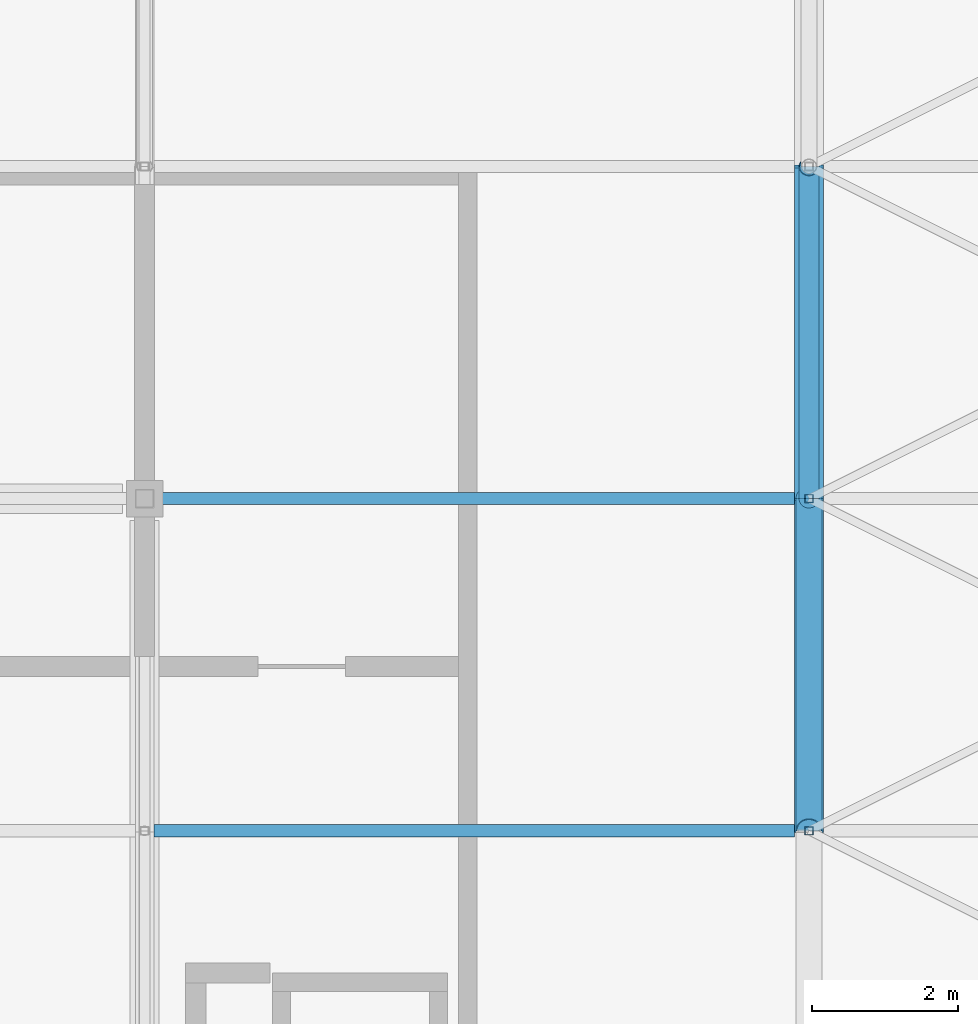
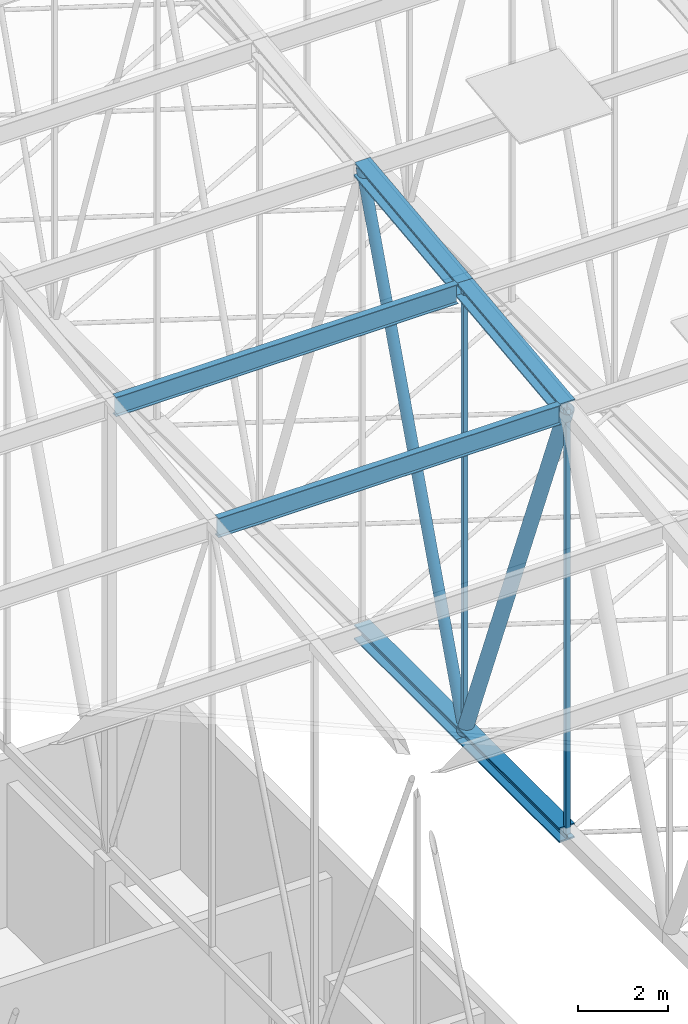
# One storey, part 81 of 500: 10 members.
"""IFC4 building model written with IfcOpenShell, lengths in metres."""

from ifc_helpers import new_model, si_unit, direction, frame, origin, origin_2d, place, context, subcontext, project, spatial, hollow_rectangle, hollow_circle, i_section, extrude, material, material_profile, profile_set, type_object, element, save


model = new_model("IFC4")

# Units and contexts
model_context = context("Model", 3, precision=1e-05, world=origin(), true_north=direction((0.0, 1.0)))
body_context = subcontext(model_context, "Body", "Model", "MODEL_VIEW")
ifc_project = project(units=[si_unit("LENGTHUNIT", "METRE"), si_unit("AREAUNIT", "SQUARE_METRE"), si_unit("VOLUMEUNIT", "CUBIC_METRE"), si_unit("PLANEANGLEUNIT", "RADIAN"), si_unit("MASSUNIT", "GRAM", prefix="KILO")], contexts=[model_context])

# Site, building, storey
site_placement = place(None, origin())
site = spatial("IfcSite", under=ifc_project, at=site_placement, CompositionType="ELEMENT")
building_placement = place(site_placement, origin())
building = spatial("IfcBuilding", under=site, at=building_placement, Name="Shirokan Park Arena", CompositionType="ELEMENT")
storey_placement = place(building_placement, frame((0.0, 0.0, 29.1201171875)))
storey = spatial("IfcBuildingStorey", under=building, at=storey_placement, Name="L06", CompositionType="ELEMENT", Elevation=29.1201171875)

# Members
ifc_material_1 = material(Name="Steel ASTM A992", Category="steel")
ifc_material_profile_1 = material_profile(ifc_material_1, i_section(OverallWidth=0.40087890625, OverallDepth=0.39892578125, WebThickness=0.02490234375, FlangeThickness=0.03955078125, at=origin_2d()), Name="W360X314")
ifc_profile_set_1 = profile_set([ifc_material_profile_1], Name="Steel ASTM A992")
member_type_1 = type_object("IfcMemberType", Name="Bottom chord W360X314", PredefinedType="CHORD", material=ifc_profile_set_1)
member_1_placement = place(storey_placement, frame((45.5, 31.85009765625, 4.677001953125), z_axis=(0.0, 1.0, 0.0), x_axis=(-1.0, 0.0, 0.0)))
element("IfcMember", 1, at=member_1_placement, inside=storey, type_object=member_type_1, Name="Truss T06 bottom chord 10", PredefinedType="CHORD", context=body_context, shape_type="SweptSolid", body=[
    extrude(i_section(OverallWidth=0.40087890625, OverallDepth=0.39892578125, WebThickness=0.02490234375, FlangeThickness=0.03955078125, at=origin_2d()), origin(), (0.0, 0.0, 1.0), 4.5498046875),
])
member_2_placement = place(storey_placement, frame((45.5, 36.39990234375, 4.677001953125), z_axis=(0.0, 1.0, 0.0), x_axis=(-1.0, 0.0, 0.0)))
element("IfcMember", 2, at=member_2_placement, inside=storey, type_object=member_type_1, Name="Truss T06 bottom chord 11", PredefinedType="CHORD", context=body_context, shape_type="SweptSolid", body=[
    extrude(i_section(OverallWidth=0.40087890625, OverallDepth=0.39892578125, WebThickness=0.02490234375, FlangeThickness=0.03955078125, at=origin_2d()), origin(), (0.0, 0.0, 1.0), 4.550048828125),
])
ifc_material_profile_2 = material_profile(ifc_material_1, i_section(OverallWidth=0.166015625, OverallDepth=0.528076171875, WebThickness=0.009765625, FlangeThickness=0.013671875, at=origin_2d()), Name="W530X74")
ifc_profile_set_2 = profile_set([ifc_material_profile_2], Name="Steel ASTM A992")
member_type_2 = type_object("IfcMemberType", Name="Purlin W530X74", PredefinedType="PURLIN", material=ifc_profile_set_2)
for number, where, z_axis, x_axis, name in (
    (3, (36.527099609375, 31.85009765625, 16.1259765625), (1.0, 0.0, 0.0), (0.0, 1.0, 0.0), "Purlin 10 bay 5"),
    (4, (36.527099609375, 36.39990234375, 16.64599609375), (1.0, 0.0, 0.0), (0.0, 1.0, 0.0), "Purlin 11 bay 5"),
):
    element("IfcMember", number, at=place(storey_placement, frame(where, z_axis=z_axis, x_axis=x_axis)), inside=storey, type_object=member_type_2, Name=name, PredefinedType="PURLIN", context=body_context, shape_type="SweptSolid", body=[
        extrude(i_section(OverallWidth=0.166015625, OverallDepth=0.528076171875, WebThickness=0.009765625, FlangeThickness=0.013671875, at=origin_2d()), origin(), (0.0, 0.0, 1.0), 8.7724609375),
    ])
ifc_material_profile_3 = material_profile(ifc_material_1, i_section(OverallWidth=0.40087890625, OverallDepth=0.39892578125, WebThickness=0.02490234375, FlangeThickness=0.03955078125, at=origin_2d()), Name="W360X314")
ifc_profile_set_3 = profile_set([ifc_material_profile_3], Name="Steel ASTM A992")
member_type_3 = type_object("IfcMemberType", Name="Top chord W360X314", PredefinedType="CHORD", material=ifc_profile_set_3)
member_3_placement = place(storey_placement, frame((45.5, 31.85009765625, 16.181396484375), z_axis=(0.0, 0.993531641592, 0.11355561261), x_axis=(-1.0, 0.0, 0.0)))
element("IfcMember", 5, at=member_3_placement, inside=storey, type_object=member_type_3, Name="Truss T06 top chord 10", PredefinedType="CHORD", context=body_context, shape_type="SweptSolid", body=[
    extrude(i_section(OverallWidth=0.40087890625, OverallDepth=0.39892578125, WebThickness=0.02490234375, FlangeThickness=0.03955078125, at=origin_2d()), origin(), (0.0, 0.0, 1.0), 4.579345703125),
])
member_4_placement = place(storey_placement, frame((45.5, 36.39990234375, 16.701416015625), z_axis=(0.0, 0.993532328996, 0.113549598152), x_axis=(-1.0, 0.0, 0.0)))
element("IfcMember", 6, at=member_4_placement, inside=storey, type_object=member_type_3, Name="Truss T06 top chord 11", PredefinedType="CHORD", context=body_context, shape_type="SweptSolid", body=[
    extrude(i_section(OverallWidth=0.40087890625, OverallDepth=0.39892578125, WebThickness=0.02490234375, FlangeThickness=0.03955078125, at=origin_2d()), origin(), (0.0, 0.0, 1.0), 4.57958984375),
])
ifc_material_2 = material(Name="Steel ASTM A500 Grade C", Category="steel")
ifc_material_profile_4 = material_profile(ifc_material_2, hollow_circle(Radius=0.136474609375, WallThickness=0.009521484375, at=origin_2d()), Name="HSS273.1X9.5")
ifc_profile_set_4 = profile_set([ifc_material_profile_4], Name="Steel ASTM A500 Grade C")
member_type_4 = type_object("IfcMemberType", Name="Truss diagonal HSS273.1X9.5", PredefinedType="BRACE", material=ifc_profile_set_4)
member_5_placement = place(storey_placement, frame((45.5, 36.39990234375, 4.677001953125), z_axis=(0.0, 0.340977600467, 0.94007142068), x_axis=(-1.0, 0.0, 0.0)))
element("IfcMember", 7, at=member_5_placement, inside=storey, type_object=member_type_4, Name="Truss T06 diagonal 11", PredefinedType="BRACE", context=body_context, shape_type="SweptSolid", body=[
    extrude(hollow_circle(Radius=0.136474609375, WallThickness=0.009521484375, at=origin_2d()), origin(), (0.0, 0.0, 1.0), 13.34423828125),
])
ifc_material_profile_5 = material_profile(ifc_material_2, hollow_circle(Radius=0.177978515625, WallThickness=0.0126953125, at=origin_2d()), Name="HSS355.6X12.7")
ifc_profile_set_5 = profile_set([ifc_material_profile_5], Name="Steel ASTM A500 Grade C")
member_type_5 = type_object("IfcMemberType", Name="Truss diagonal HSS355.6X12.7", PredefinedType="BRACE", material=ifc_profile_set_5)
member_6_placement = place(storey_placement, frame((45.5, 31.85009765625, 16.181396484375), z_axis=(0.0, 0.367767637573, -0.929917719346), x_axis=(-1.0, 0.0, 0.0)))
element("IfcMember", 8, at=member_6_placement, inside=storey, type_object=member_type_5, Name="Truss T06 diagonal 10", PredefinedType="BRACE", context=body_context, shape_type="SweptSolid", body=[
    extrude(hollow_circle(Radius=0.177978515625, WallThickness=0.0126953125, at=origin_2d()), origin(), (0.0, 0.0, 1.0), 12.371337890625),
])
ifc_material_profile_6 = material_profile(ifc_material_2, hollow_rectangle(XDim=0.114013671875, YDim=0.114013671875, WallThickness=0.00634765625, at=origin_2d()), Name="HSS114.3X114.3X6.4")
ifc_profile_set_6 = profile_set([ifc_material_profile_6], Name="Steel ASTM A500 Grade C")
member_type_6 = type_object("IfcMemberType", Name="Truss post HSS114.3X114.3X6.4", PredefinedType="POST", material=ifc_profile_set_6)
member_7_placement = place(storey_placement, frame((45.5, 31.85009765625, 4.677001953125), z_axis=(0.0, 0.0, 1.0), x_axis=(1.0, 0.0, 0.0)))
element("IfcMember", 9, at=member_7_placement, inside=storey, type_object=member_type_6, Name="Truss T06 post 10", PredefinedType="POST", context=body_context, shape_type="SweptSolid", body=[
    extrude(hollow_rectangle(XDim=0.114013671875, YDim=0.114013671875, WallThickness=0.00634765625, at=origin_2d()), origin(), (0.0, 0.0, 1.0), 11.50439453125),
])
member_8_placement = place(storey_placement, frame((45.5, 36.39990234375, 4.677001953125), z_axis=(0.0, 0.0, 1.0), x_axis=(1.0, 0.0, 0.0)))
element("IfcMember", 10, at=member_8_placement, inside=storey, type_object=member_type_6, Name="Truss T06 post 11", PredefinedType="POST", context=body_context, shape_type="SweptSolid", body=[
    extrude(hollow_rectangle(XDim=0.114013671875, YDim=0.114013671875, WallThickness=0.00634765625, at=origin_2d()), origin(), (0.0, 0.0, 1.0), 12.0244140625),
])

save(model, "model.ifc")
